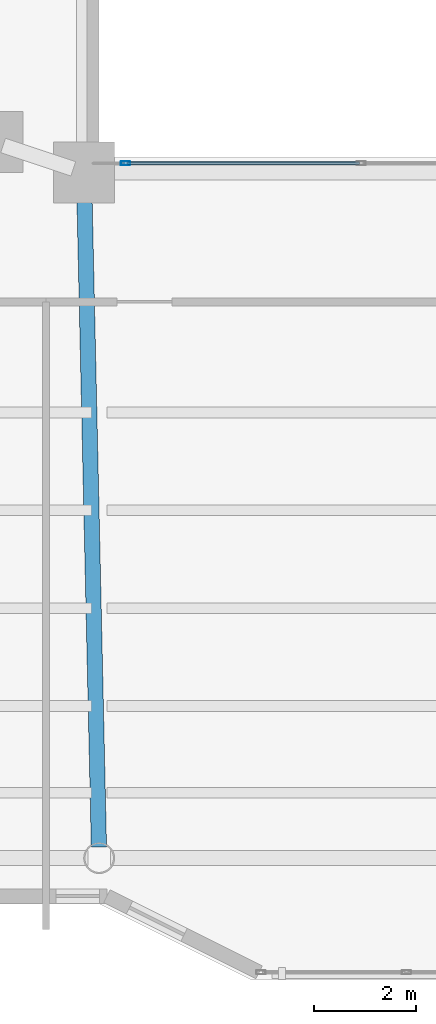
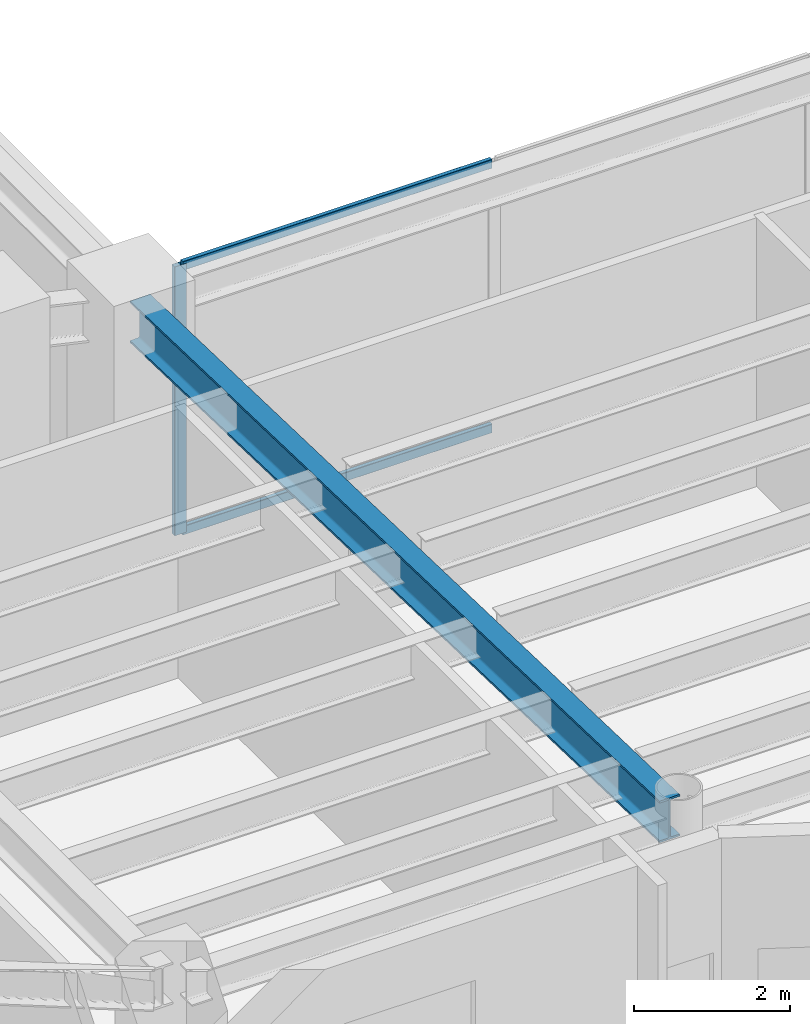
# One storey, part 6 of 38: 3 members, 1 beam, 1 element without a shape of its own.
"""IFC4 building model written with IfcOpenShell, lengths in metres."""

from ifc_helpers import new_model, si_unit, direction, frame, origin, origin_2d, place, context, subcontext, project, spatial, hollow_rectangle, i_section, extrude, material, layer, layer_set, material_profile, profile_set, type_object, element, aggregate, save


model = new_model("IFC4")

# Units and contexts
model_context = context("Model", 3, precision=1e-05, world=origin(), true_north=direction((0.0, 1.0)))
body_context = subcontext(model_context, "Body", "Model", "MODEL_VIEW")
ifc_project = project(units=[si_unit("LENGTHUNIT", "METRE"), si_unit("AREAUNIT", "SQUARE_METRE"), si_unit("VOLUMEUNIT", "CUBIC_METRE"), si_unit("PLANEANGLEUNIT", "RADIAN"), si_unit("MASSUNIT", "GRAM", prefix="KILO")], contexts=[model_context])

# Site, building, storey
site_placement = place(None, origin())
site = spatial("IfcSite", under=ifc_project, at=site_placement, CompositionType="ELEMENT")
building_placement = place(site_placement, origin())
building = spatial("IfcBuilding", under=site, at=building_placement, Name="Tarnavaz Court Tower", CompositionType="ELEMENT")
storey_placement = place(building_placement, frame((0.0, 0.0, 123.0)))
storey = spatial("IfcBuildingStorey", under=building, at=storey_placement, Name="L33", CompositionType="ELEMENT", Elevation=123.0)

# Beam
ifc_material_1 = material(Name="Steel S355", Category="steel")
ifc_material_profile_1 = material_profile(ifc_material_1, i_section(OverallWidth=0.300048828125, OverallDepth=0.64990234375, WebThickness=0.01611328125, FlangeThickness=0.031005859375, FilletRadius=0.027099609375, at=origin_2d()), Name="HEB 650")
ifc_profile_set_1 = profile_set([ifc_material_profile_1], Name="Steel S355")
beam_type = type_object("IfcBeamType", Name="BM-G-HEB650", PredefinedType="USERDEFINED", material=ifc_profile_set_1)
beam_placement = place(storey_placement, frame((-7.795166015625, -8.02001953125, 3.875), z_axis=(0.022221303469, -0.99975307635, 0.0), x_axis=(0.99975307635, 0.022221303469, 0.0)))
element("IfcBeam", 1, at=beam_placement, inside=storey, type_object=beam_type, Name="L33 Beam RG-06", ObjectType="GIRDER", PredefinedType="USERDEFINED", context=body_context, shape_type="SweptSolid", body=[
    extrude(i_section(OverallWidth=0.300048828125, OverallDepth=0.64990234375, WebThickness=0.01611328125, FlangeThickness=0.031005859375, FilletRadius=0.027099609375, at=origin_2d()), origin(), (0.0, 0.0, 1.0), 13.063232421875),
])

# Curtain wall, members
ifc_material_2 = material(Name="Anodised Aluminium 6063-T6 and Solar Low-E Glazing", Category="aluminium")
ifc_layer = layer(ifc_material_2, 0.139892578125)
ifc_layer_set = layer_set([ifc_layer], Name="Anodised Aluminium 6063-T6 and Solar Low-E Glazing")
curtain_wall_type = type_object("IfcCurtainWallType", Name="CW-SYS-04", PredefinedType="NOTDEFINED", material=ifc_layer_set)
curtain_wall_placement = place(storey_placement, origin())
curtain_wall = element("IfcCurtainWall", 2, at=curtain_wall_placement, inside=storey, type_object=curtain_wall_type, Name="L33 Badgir Courtyard Curtain Wall S", PredefinedType="NOTDEFINED")
ifc_material_3 = material(Name="Anodised Aluminium 6063-T6", Category="aluminium")
ifc_material_profile_2 = material_profile(ifc_material_3, hollow_rectangle(XDim=0.074951171875, YDim=0.179931640625, WallThickness=0.0048828125, InnerFilletRadius=0.0048828125, OuterFilletRadius=0.010009765625, at=origin_2d()), Name="ALU RHS 180X75X5")
ifc_profile_set_2 = profile_set([ifc_material_profile_2], Name="Anodised Aluminium 6063-T6")
member_type_1 = type_object("IfcMemberType", Name="CW-MUL-180", PredefinedType="MULLION", material=ifc_profile_set_2)
member_1_placement = place(storey_placement, frame((-6.982421875, -7.6201171875, 0.0), z_axis=(0.0, 0.0, 1.0), x_axis=(0.0, 1.0, 0.0)))
member_1 = element("IfcMember", 3, at=member_1_placement, type_object=member_type_1, Name="CW mullion 1", PredefinedType="MULLION", context=body_context, shape_type="SweptSolid", body=[
    extrude(hollow_rectangle(XDim=0.074951171875, YDim=0.179931640625, WallThickness=0.0048828125, InnerFilletRadius=0.0048828125, OuterFilletRadius=0.010009765625, at=origin_2d()), origin(), (0.0, 0.0, 1.0), 4.199951171875),
])
ifc_material_profile_3 = material_profile(ifc_material_3, hollow_rectangle(XDim=0.06494140625, YDim=0.139892578125, WallThickness=0.00390625, InnerFilletRadius=0.00390625, OuterFilletRadius=0.008056640625, at=origin_2d()), Name="ALU RHS 140X65X4")
ifc_profile_set_3 = profile_set([ifc_material_profile_3], Name="Anodised Aluminium 6063-T6")
member_type_2 = type_object("IfcMemberType", Name="CW-TRN-140", PredefinedType="USERDEFINED", material=ifc_profile_set_3)
member_2_placement = place(storey_placement, frame((-6.945068359375, -7.6201171875, 0.032470703125), z_axis=(1.0, 0.0, 0.0), x_axis=(0.0, 1.0, 0.0)))
member_2 = element("IfcMember", 4, at=member_2_placement, type_object=member_type_2, Name="CW transom 1.1", ObjectType="TRANSOM", PredefinedType="USERDEFINED", context=body_context, shape_type="SweptSolid", body=[
    extrude(hollow_rectangle(XDim=0.06494140625, YDim=0.139892578125, WallThickness=0.00390625, InnerFilletRadius=0.00390625, OuterFilletRadius=0.008056640625, at=origin_2d()), origin(), (0.0, 0.0, 1.0), 4.567626953125),
])
member_3_placement = place(storey_placement, frame((-6.945068359375, -7.6201171875, 4.16748046875), z_axis=(1.0, 0.0, 0.0), x_axis=(0.0, 1.0, 0.0)))
member_3 = element("IfcMember", 5, at=member_3_placement, type_object=member_type_2, Name="CW transom 1.2", ObjectType="TRANSOM", PredefinedType="USERDEFINED", context=body_context, shape_type="SweptSolid", body=[
    extrude(hollow_rectangle(XDim=0.06494140625, YDim=0.139892578125, WallThickness=0.00390625, InnerFilletRadius=0.00390625, OuterFilletRadius=0.008056640625, at=origin_2d()), origin(), (0.0, 0.0, 1.0), 4.567626953125),
])
aggregate(curtain_wall, [member_1, member_2, member_3])

save(model, "model.ifc")
